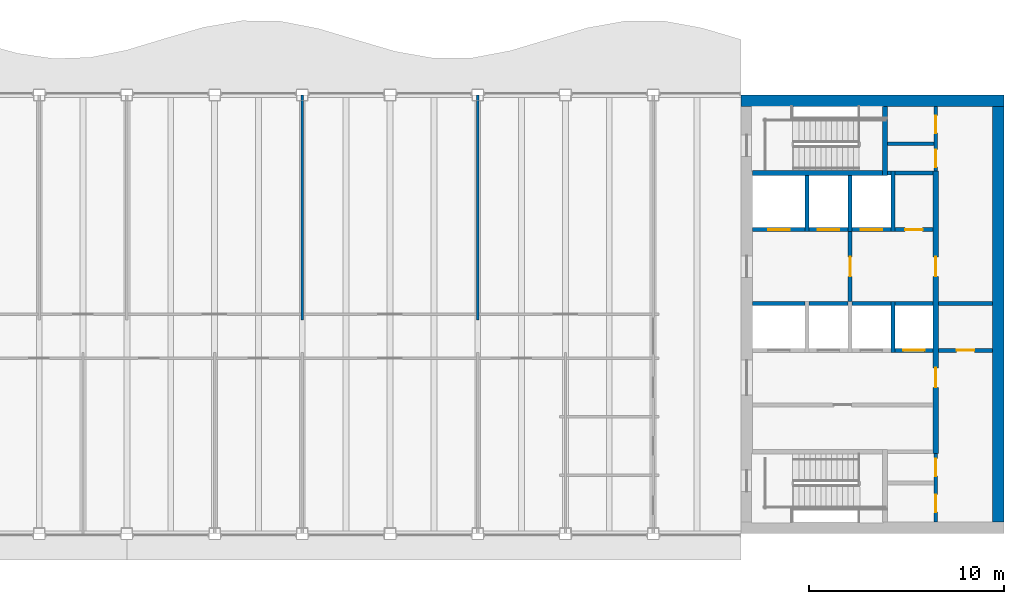
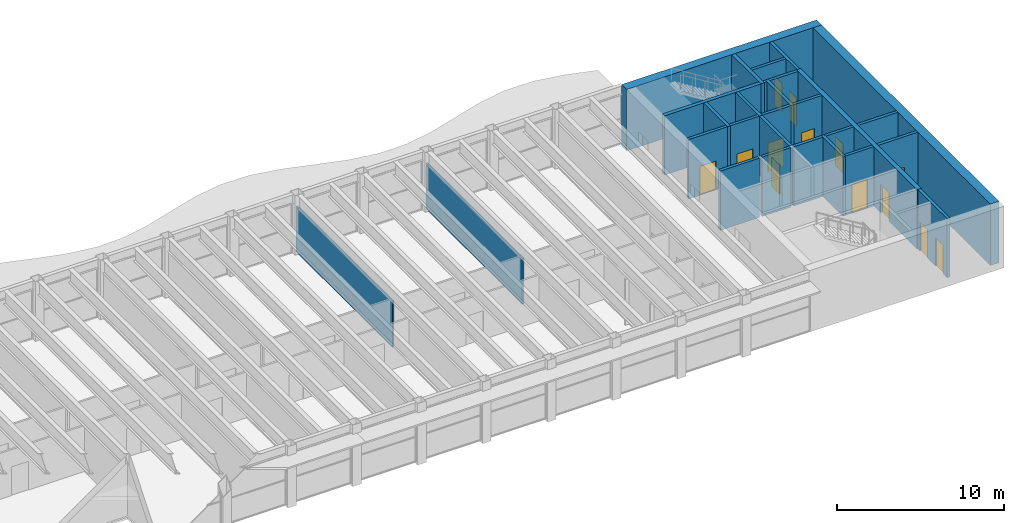
# One storey, part 10 of 14: 28 walls, 13 doors, 13 openings.
"""IFC4 building model written with IfcOpenShell, lengths in metres."""

from ifc_helpers import new_model, si_unit, direction, frame, frame_2d, origin, place, context, subcontext, project, spatial, rectangle, extrude, material, layer, layer_set, type_object, element, fill, save


model = new_model("IFC4")

# Units and contexts
model_context = context("Model", 3, precision=1e-05, world=origin(), true_north=direction((0.0, 1.0)))
body_context = subcontext(model_context, "Body", "Model", "MODEL_VIEW")
ifc_project = project(units=[si_unit("LENGTHUNIT", "METRE"), si_unit("AREAUNIT", "SQUARE_METRE"), si_unit("VOLUMEUNIT", "CUBIC_METRE"), si_unit("PLANEANGLEUNIT", "RADIAN"), si_unit("MASSUNIT", "GRAM", prefix="KILO")], contexts=[model_context])

# Site, building, storey
site_placement = place(None, origin())
site = spatial("IfcSite", under=ifc_project, at=site_placement, CompositionType="ELEMENT")
building_placement = place(site_placement, origin())
building = spatial("IfcBuilding", under=site, at=building_placement, Name="Sennacour Bend Tower", CompositionType="ELEMENT")
storey_placement = place(building_placement, frame((0.0, 0.0, 327.5)))
storey = spatial("IfcBuildingStorey", under=building, at=storey_placement, Name="L75", CompositionType="ELEMENT", Elevation=327.5)

# Walls
ifc_material_1 = material(Name="Concrete C50/60", Category="concrete")
ifc_layer_1 = layer(ifc_material_1, 0.60009765625, Name="Concrete C50/60", Category="concrete")
ifc_layer_set_1 = layer_set([ifc_layer_1], Name="Concrete C50/60")
wall_type_1 = type_object("IfcWallType", Name="Core wall 600 C50/60", PredefinedType="SHEAR", material=ifc_layer_set_1)
wall_1_placement = place(storey_placement, frame((54.0, 22.199951171875, -0.14990234375), z_axis=(0.0, 0.0, 1.0), x_axis=(1.0, 0.0, 0.0)))
element("IfcWall", 1, at=wall_1_placement, inside=storey, type_object=wall_type_1, Name="Core A wall L75 N", PredefinedType="SHEAR", context=body_context, shape_type="SweptSolid", body=[
    extrude(rectangle(XDim=13.5, YDim=0.60009765625, at=frame_2d((6.75, 0.0))), origin(), (0.0, 0.0, 1.0), 4.5),
])
wall_2_placement = place(storey_placement, frame((67.199951171875, 0.60009765625, -0.14990234375), z_axis=(0.0, 0.0, 1.0), x_axis=(0.0, 1.0, 0.0)))
element("IfcWall", 2, at=wall_2_placement, inside=storey, type_object=wall_type_1, Name="Core A wall L75 E", PredefinedType="SHEAR", context=body_context, shape_type="SweptSolid", body=[
    extrude(rectangle(XDim=21.2998046875, YDim=0.60009765625, at=frame_2d((10.64990234375, 0.0))), origin(), (0.0, 0.0, 1.0), 4.5),
])
ifc_material_2 = material(Name="Plasterboard partition on steel studs", Category="steel")
ifc_layer_2 = layer(ifc_material_2, 0.1201171875, Name="Plasterboard partition on steel studs", Category="steel")
ifc_layer_set_2 = layer_set([ifc_layer_2], Name="Plasterboard partition on steel studs")
wall_type_2 = type_object("IfcWallType", Name="Partition 120", PredefinedType="PARTITIONING", material=ifc_layer_set_2)
for number, where, z_axis, x_axis, name in (
    (3, (31.5, 10.949951171875, 0.0), (0.0, 0.0, 1.0), (0.0, 1.0, 0.0), "P-L75-W013a"),
    (4, (40.5, 10.949951171875, 0.0), (0.0, 0.0, 1.0), (0.0, 1.0, 0.0), "P-L75-W015a"),
):
    element("IfcWall", number, at=place(storey_placement, frame(where, z_axis=z_axis, x_axis=x_axis)), inside=storey, type_object=wall_type_2, Name=name, PredefinedType="PARTITIONING", context=body_context, shape_type="SweptSolid", body=[
        extrude(rectangle(XDim=11.5400390625, YDim=0.1201171875, at=frame_2d((5.77001953125, 0.0))), origin(), (0.0, 0.0, 1.0), 3.35888671875),
    ])

# Wall, openings, doors
ifc_material_3 = material(Name="Fire-rated plasterboard partition on steel studs", Category="steel")
ifc_layer_3 = layer(ifc_material_3, 0.199951171875, Name="Fire-rated plasterboard partition on steel studs", Category="steel")
ifc_layer_set_3 = layer_set([ifc_layer_3], Name="Fire-rated plasterboard partition on steel studs")
wall_type_3 = type_object("IfcWallType", Name="Rated partition 200", PredefinedType="PARTITIONING", material=ifc_layer_set_3)
wall_3_placement = place(storey_placement, frame((64.0, 0.60009765625, 0.0), z_axis=(0.0, 0.0, 1.0), x_axis=(0.0, 1.0, 0.0)))
wall_3 = element("IfcWall", 5, at=wall_3_placement, inside=storey, type_object=wall_type_3, Name="P-L75-W027", PredefinedType="PARTITIONING", context=body_context, shape_type="SweptSolid", body=[
    extrude(rectangle(XDim=3.5, YDim=0.199951171875, at=frame_2d((1.75, 0.0))), origin(), (0.0, 0.0, 1.0), 4.35009765625),
])
opening_1_placement = place(wall_3_placement, frame((0.5, 0.0, 0.0)))
opening_1 = element("IfcOpeningElement", 6, at=opening_1_placement, cuts=wall_3, Name="Opening SV", PredefinedType="OPENING", context=body_context, shape_type="SweptSolid", body=[
    extrude(rectangle(XDim=0.89990234375, YDim=2.10009765625, at=frame_2d((0.449951171875, 1.050048828125))), frame((0.0, 0.10986328125, 0.0), z_axis=(0.0, -1.0, 0.0), x_axis=(1.0, 0.0, 0.0)), (0.0, 0.0, 1.0), 0.219970703125),
])
opening_2_placement = place(wall_3_placement, frame((2.349853515625, 0.0, 0.0)))
opening_2 = element("IfcOpeningElement", 7, at=opening_2_placement, cuts=wall_3, Name="Opening WD", PredefinedType="OPENING", context=body_context, shape_type="SweptSolid", body=[
    extrude(rectangle(XDim=0.89990234375, YDim=2.10009765625, at=frame_2d((0.449951171875, 1.050048828125))), frame((0.0, 0.10986328125, 0.0), z_axis=(0.0, -1.0, 0.0), x_axis=(1.0, 0.0, 0.0)), (0.0, 0.0, 1.0), 0.219970703125),
])
ifc_material_4 = material(Name="Painted steel", Category="steel")
door_type_1 = type_object("IfcDoorType", Name="DR-SERVICE-900", OperationType="NOTDEFINED", PredefinedType="DOOR", material=ifc_material_4)
door_1_placement = place(opening_1_placement, origin())
door_1 = element("IfcDoor", 8, at=door_1_placement, inside=storey, type_object=door_type_1, Name="Door", OperationType="SINGLE_SWING_LEFT", OverallHeight=2.10009765625, OverallWidth=0.89990234375, PredefinedType="DOOR", context=body_context, shape_type="SweptSolid", body=[
    extrude(rectangle(XDim=0.89990234375, YDim=2.10009765625, at=frame_2d((0.449951171875, 1.050048828125))), frame((0.0, 0.02490234375, 0.0), z_axis=(0.0, -1.0, 0.0), x_axis=(1.0, 0.0, 0.0)), (0.0, 0.0, 1.0), 0.050048828125),
])
fill(opening_1, door_1)
ifc_material_5 = material(Name="Timber", Category="wood")
door_type_2 = type_object("IfcDoorType", Name="DR-WC-900", OperationType="NOTDEFINED", PredefinedType="DOOR", material=ifc_material_5)
door_2_placement = place(opening_2_placement, origin())
door_2 = element("IfcDoor", 9, at=door_2_placement, inside=storey, type_object=door_type_2, Name="Door", OperationType="SINGLE_SWING_RIGHT", OverallHeight=2.10009765625, OverallWidth=0.89990234375, PredefinedType="DOOR", context=body_context, shape_type="SweptSolid", body=[
    extrude(rectangle(XDim=0.89990234375, YDim=2.10009765625, at=frame_2d((0.449951171875, 1.050048828125))), frame((0.0, 0.02490234375, 0.0), z_axis=(0.0, -1.0, 0.0), x_axis=(1.0, 0.0, 0.0)), (0.0, 0.0, 1.0), 0.050048828125),
])
fill(opening_2, door_2)

wall_4_placement = place(storey_placement, frame((64.0, 18.60009765625, 0.0), z_axis=(0.0, 0.0, 1.0), x_axis=(0.0, 1.0, 0.0)))
wall_4 = element("IfcWall", 10, at=wall_4_placement, inside=storey, type_object=wall_type_3, Name="P-L75-W029", PredefinedType="PARTITIONING", context=body_context, shape_type="SweptSolid", body=[
    extrude(rectangle(XDim=3.2998046875, YDim=0.199951171875, at=frame_2d((1.64990234375, 0.0))), origin(), (0.0, 0.0, 1.0), 4.35009765625),
])
opening_3_placement = place(wall_4_placement, frame((0.199951171875, 0.0, 0.0)))
opening_3 = element("IfcOpeningElement", 11, at=opening_3_placement, cuts=wall_4, Name="Opening SV", PredefinedType="OPENING", context=body_context, shape_type="SweptSolid", body=[
    extrude(rectangle(XDim=0.89990234375, YDim=2.10009765625, at=frame_2d((0.449951171875, 1.050048828125))), frame((0.0, 0.10986328125, 0.0), z_axis=(0.0, -1.0, 0.0), x_axis=(1.0, 0.0, 0.0)), (0.0, 0.0, 1.0), 0.219970703125),
])
opening_4_placement = place(wall_4_placement, frame((1.949951171875, 0.0, 0.0)))
opening_4 = element("IfcOpeningElement", 12, at=opening_4_placement, cuts=wall_4, Name="Opening SV", PredefinedType="OPENING", context=body_context, shape_type="SweptSolid", body=[
    extrude(rectangle(XDim=0.89990234375, YDim=2.10009765625, at=frame_2d((0.449951171875, 1.050048828125))), frame((0.0, 0.10986328125, 0.0), z_axis=(0.0, -1.0, 0.0), x_axis=(1.0, 0.0, 0.0)), (0.0, 0.0, 1.0), 0.219970703125),
])
door_3_placement = place(opening_3_placement, origin())
door_3 = element("IfcDoor", 13, at=door_3_placement, inside=storey, type_object=door_type_1, Name="Door", OperationType="SINGLE_SWING_LEFT", OverallHeight=2.10009765625, OverallWidth=0.89990234375, PredefinedType="DOOR", context=body_context, shape_type="SweptSolid", body=[
    extrude(rectangle(XDim=0.89990234375, YDim=2.10009765625, at=frame_2d((0.449951171875, 1.050048828125))), frame((0.0, 0.02490234375, 0.0), z_axis=(0.0, -1.0, 0.0), x_axis=(1.0, 0.0, 0.0)), (0.0, 0.0, 1.0), 0.050048828125),
])
fill(opening_3, door_3)
door_4_placement = place(opening_4_placement, origin())
door_4 = element("IfcDoor", 14, at=door_4_placement, inside=storey, type_object=door_type_1, Name="Door", OperationType="SINGLE_SWING_RIGHT", OverallHeight=2.10009765625, OverallWidth=0.89990234375, PredefinedType="DOOR", context=body_context, shape_type="SweptSolid", body=[
    extrude(rectangle(XDim=0.89990234375, YDim=2.10009765625, at=frame_2d((0.449951171875, 1.050048828125))), frame((0.0, 0.02490234375, 0.0), z_axis=(0.0, -1.0, 0.0), x_axis=(1.0, 0.0, 0.0)), (0.0, 0.0, 1.0), 0.050048828125),
])
fill(opening_4, door_4)

# Wall, opening, door
wall_5_placement = place(storey_placement, frame((64.14990234375, 9.39990234375, 0.0), z_axis=(0.0, 0.0, 1.0), x_axis=(1.0, 0.0, 0.0)))
wall_5 = element("IfcWall", 15, at=wall_5_placement, inside=storey, type_object=wall_type_3, Name="P-L75-W042", PredefinedType="PARTITIONING", context=body_context, shape_type="SweptSolid", body=[
    extrude(rectangle(XDim=2.75, YDim=0.199951171875, at=frame_2d((1.375, 0.0))), origin(), (0.0, 0.0, 1.0), 4.35009765625),
])
opening_5_placement = place(wall_5_placement, frame((0.925048828125, 0.0, 0.0)))
opening_5 = element("IfcOpeningElement", 16, at=opening_5_placement, cuts=wall_5, Name="Opening SV", PredefinedType="OPENING", context=body_context, shape_type="SweptSolid", body=[
    extrude(rectangle(XDim=0.89990234375, YDim=2.10009765625, at=frame_2d((0.449951171875, 1.050048828125))), frame((0.0, 0.10986328125, 0.0), z_axis=(0.0, -1.0, 0.0), x_axis=(1.0, 0.0, 0.0)), (0.0, 0.0, 1.0), 0.219970703125),
])
door_5_placement = place(opening_5_placement, origin())
door_5 = element("IfcDoor", 17, at=door_5_placement, inside=storey, type_object=door_type_1, Name="Door", OperationType="SINGLE_SWING_LEFT", OverallHeight=2.10009765625, OverallWidth=0.89990234375, PredefinedType="DOOR", context=body_context, shape_type="SweptSolid", body=[
    extrude(rectangle(XDim=0.89990234375, YDim=2.10009765625, at=frame_2d((0.449951171875, 1.050048828125))), frame((0.0, 0.02490234375, 0.0), z_axis=(0.0, -1.0, 0.0), x_axis=(1.0, 0.0, 0.0)), (0.0, 0.0, 1.0), 0.050048828125),
])
fill(opening_5, door_5)

# Wall
wall_6_placement = place(storey_placement, frame((64.14990234375, 11.800048828125, 0.0), z_axis=(0.0, 0.0, 1.0), x_axis=(1.0, 0.0, 0.0)))
element("IfcWall", 18, at=wall_6_placement, inside=storey, type_object=wall_type_3, Name="P-L75-W045", PredefinedType="PARTITIONING", context=body_context, shape_type="SweptSolid", body=[
    extrude(rectangle(XDim=2.75, YDim=0.199951171875, at=frame_2d((1.375, 0.0))), origin(), (0.0, 0.0, 1.0), 4.35009765625),
])

# Wall, opening, door
wall_7_placement = place(storey_placement, frame((61.89990234375, 15.60009765625, 0.0), z_axis=(0.0, 0.0, 1.0), x_axis=(1.0, 0.0, 0.0)))
wall_7 = element("IfcWall", 19, at=wall_7_placement, inside=storey, type_object=wall_type_3, Name="P-L75-W047", PredefinedType="PARTITIONING", context=body_context, shape_type="SweptSolid", body=[
    extrude(rectangle(XDim=1.9501953125, YDim=0.199951171875, at=frame_2d((0.97509765625, 0.0))), origin(), (0.0, 0.0, 1.0), 4.35009765625),
])
opening_6_placement = place(wall_7_placement, frame((0.525146484375, 0.0, 0.0)))
opening_6 = element("IfcOpeningElement", 20, at=opening_6_placement, cuts=wall_7, Name="Opening SV", PredefinedType="OPENING", context=body_context, shape_type="SweptSolid", body=[
    extrude(rectangle(XDim=0.89990234375, YDim=2.10009765625, at=frame_2d((0.449951171875, 1.050048828125))), frame((0.0, 0.10986328125, 0.0), z_axis=(0.0, -1.0, 0.0), x_axis=(1.0, 0.0, 0.0)), (0.0, 0.0, 1.0), 0.219970703125),
])
door_6_placement = place(opening_6_placement, origin())
door_6 = element("IfcDoor", 21, at=door_6_placement, inside=storey, type_object=door_type_1, Name="Door", OperationType="SINGLE_SWING_LEFT", OverallHeight=2.10009765625, OverallWidth=0.89990234375, PredefinedType="DOOR", context=body_context, shape_type="SweptSolid", body=[
    extrude(rectangle(XDim=0.89990234375, YDim=2.10009765625, at=frame_2d((0.449951171875, 1.050048828125))), frame((0.0, 0.02490234375, 0.0), z_axis=(0.0, -1.0, 0.0), x_axis=(1.0, 0.0, 0.0)), (0.0, 0.0, 1.0), 0.050048828125),
])
fill(opening_6, door_6)

# Walls
wall_8_placement = place(storey_placement, frame((61.89990234375, 18.5, 0.0), z_axis=(0.0, 0.0, 1.0), x_axis=(1.0, 0.0, 0.0)))
element("IfcWall", 22, at=wall_8_placement, inside=storey, type_object=wall_type_3, Name="P-L75-W050", PredefinedType="PARTITIONING", context=body_context, shape_type="SweptSolid", body=[
    extrude(rectangle(XDim=1.9501953125, YDim=0.199951171875, at=frame_2d((0.97509765625, 0.0))), origin(), (0.0, 0.0, 1.0), 4.35009765625),
])
wall_9_placement = place(storey_placement, frame((61.52490234375, 20.0, 0.0), z_axis=(0.0, 0.0, 1.0), x_axis=(1.0, 0.0, 0.0)))
element("IfcWall", 23, at=wall_9_placement, inside=storey, type_object=wall_type_3, Name="P-L75-W051", PredefinedType="PARTITIONING", context=body_context, shape_type="SweptSolid", body=[
    extrude(rectangle(XDim=2.375, YDim=0.199951171875, at=frame_2d((1.1875, 0.0))), origin(), (0.0, 0.0, 1.0), 4.35009765625),
])

# Wall, opening, door
ifc_layer_4 = layer(ifc_material_3, 0.199951171875, Name="Fire-rated plasterboard partition on steel studs", Category="steel")
ifc_layer_set_4 = layer_set([ifc_layer_4], Name="Fire-rated plasterboard partition on steel studs")
wall_type_4 = type_object("IfcWallType", Name="Rated partition 200 EI 90", PredefinedType="PARTITIONING", material=ifc_layer_set_4)
wall_10_placement = place(storey_placement, frame((59.60009765625, 11.89990234375, 0.0), z_axis=(0.0, 0.0, 1.0), x_axis=(0.0, 1.0, 0.0)))
wall_10 = element("IfcWall", 24, at=wall_10_placement, inside=storey, type_object=wall_type_4, Name="P-L75-W021", PredefinedType="PARTITIONING", context=body_context, shape_type="SweptSolid", body=[
    extrude(rectangle(XDim=3.60009765625, YDim=0.199951171875, at=frame_2d((1.800048828125, 0.0))), origin(), (0.0, 0.0, 1.0), 4.35009765625),
])
opening_7_placement = place(wall_10_placement, frame((1.300048828125, 0.0, 0.0)))
opening_7 = element("IfcOpeningElement", 25, at=opening_7_placement, cuts=wall_10, Name="Opening FD2", PredefinedType="OPENING", context=body_context, shape_type="SweptSolid", body=[
    extrude(rectangle(XDim=1.0, YDim=2.10009765625, at=frame_2d((0.5, 1.050048828125))), frame((0.0, 0.10986328125, 0.0), z_axis=(0.0, -1.0, 0.0), x_axis=(1.0, 0.0, 0.0)), (0.0, 0.0, 1.0), 0.219970703125),
])
door_type_3 = type_object("IfcDoorType", Name="DR-FFL-1000", OperationType="NOTDEFINED", PredefinedType="DOOR", material=ifc_material_4)
door_7_placement = place(opening_7_placement, origin())
door_7 = element("IfcDoor", 26, at=door_7_placement, inside=storey, type_object=door_type_3, Name="Door", OperationType="SINGLE_SWING_LEFT", OverallHeight=2.10009765625, OverallWidth=1.0, PredefinedType="DOOR", context=body_context, shape_type="SweptSolid", body=[
    extrude(rectangle(XDim=1.0, YDim=2.10009765625, at=frame_2d((0.5, 1.050048828125))), frame((0.0, 0.02490234375, 0.0), z_axis=(0.0, -1.0, 0.0), x_axis=(1.0, 0.0, 0.0)), (0.0, 0.0, 1.0), 0.050048828125),
])
fill(opening_7, door_7)

# Walls
ifc_layer_5 = layer(ifc_material_1, 0.199951171875, Name="Concrete C50/60", Category="concrete")
ifc_layer_set_5 = layer_set([ifc_layer_5], Name="Concrete C50/60")
wall_type_5 = type_object("IfcWallType", Name="Shaft wall 200", PredefinedType="SOLIDWALL", material=ifc_layer_set_5)
for number, where, z_axis, x_axis, name in (
    (27, (57.39990234375, 15.5, 0.0), (0.0, 0.0, 1.0), (0.0, 1.0, 0.0), "P-L75-W019"),
    (28, (59.60009765625, 15.5, 0.0), (0.0, 0.0, 1.0), (0.0, 1.0, 0.0), "P-L75-W022"),
):
    element("IfcWall", number, at=place(storey_placement, frame(where, z_axis=z_axis, x_axis=x_axis)), inside=storey, type_object=wall_type_5, Name=name, PredefinedType="SOLIDWALL", context=body_context, shape_type="SweptSolid", body=[
        extrude(rectangle(XDim=2.875, YDim=0.199951171875, at=frame_2d((1.4375, 0.0))), origin(), (0.0, 0.0, 1.0), 4.35009765625),
    ])
wall_11_placement = place(storey_placement, frame((61.800048828125, 9.300048828125, 0.0), z_axis=(0.0, 0.0, 1.0), x_axis=(0.0, 1.0, 0.0)))
element("IfcWall", 29, at=wall_11_placement, inside=storey, type_object=wall_type_5, Name="P-L75-W025", PredefinedType="SOLIDWALL", context=body_context, shape_type="SweptSolid", body=[
    extrude(rectangle(XDim=2.599853515625, YDim=0.199951171875, at=frame_2d((1.2998046875, 0.0))), origin(), (0.0, 0.0, 1.0), 4.35009765625),
])
wall_12_placement = place(storey_placement, frame((61.800048828125, 15.5, 0.0), z_axis=(0.0, 0.0, 1.0), x_axis=(0.0, 1.0, 0.0)))
element("IfcWall", 30, at=wall_12_placement, inside=storey, type_object=wall_type_5, Name="P-L75-W026", PredefinedType="SOLIDWALL", context=body_context, shape_type="SweptSolid", body=[
    extrude(rectangle(XDim=3.10009765625, YDim=0.199951171875, at=frame_2d((1.550048828125, 0.0))), origin(), (0.0, 0.0, 1.0), 4.35009765625),
])

# Wall, opening, door
wall_13_placement = place(storey_placement, frame((61.89990234375, 9.39990234375, 0.0), z_axis=(0.0, 0.0, 1.0), x_axis=(1.0, 0.0, 0.0)))
wall_13 = element("IfcWall", 31, at=wall_13_placement, inside=storey, type_object=wall_type_5, Name="P-L75-W041d", PredefinedType="SOLIDWALL", context=body_context, shape_type="SweptSolid", body=[
    extrude(rectangle(XDim=1.9501953125, YDim=0.199951171875, at=frame_2d((0.97509765625, 0.0))), origin(), (0.0, 0.0, 1.0), 4.35009765625),
])
opening_8_placement = place(wall_13_placement, frame((0.425048828125, 0.0, 0.011962890625)))
opening_8 = element("IfcOpeningElement", 32, at=opening_8_placement, cuts=wall_13, Name="Opening LD", PredefinedType="OPENING", context=body_context, shape_type="SweptSolid", body=[
    extrude(rectangle(XDim=1.10009765625, YDim=2.10009765625, at=frame_2d((0.550048828125, 1.050048828125))), frame((0.0, 0.10986328125, 0.0), z_axis=(0.0, -1.0, 0.0), x_axis=(1.0, 0.0, 0.0)), (0.0, 0.0, 1.0), 0.219970703125),
])
ifc_material_6 = material(Name="Stainless steel", Category="steel")
door_type_4 = type_object("IfcDoorType", Name="DR-LANDING-1100", OperationType="NOTDEFINED", PredefinedType="DOOR", material=ifc_material_6)
door_8_placement = place(opening_8_placement, origin())
door_8 = element("IfcDoor", 33, at=door_8_placement, inside=storey, type_object=door_type_4, Name="Lift landing door HA4", OperationType="SLIDING_TO_RIGHT", OverallHeight=2.10009765625, OverallWidth=1.10009765625, PredefinedType="DOOR", context=body_context, shape_type="SweptSolid", body=[
    extrude(rectangle(XDim=1.10009765625, YDim=2.10009765625, at=frame_2d((0.550048828125, 1.050048828125))), frame((0.0, 0.02490234375, 0.0), z_axis=(0.0, -1.0, 0.0), x_axis=(1.0, 0.0, 0.0)), (0.0, 0.0, 1.0), 0.050048828125),
])
fill(opening_8, door_8)

# Walls
wall_14_placement = place(storey_placement, frame((54.60009765625, 11.800048828125, 0.0), z_axis=(0.0, 0.0, 1.0), x_axis=(1.0, 0.0, 0.0)))
element("IfcWall", 34, at=wall_14_placement, inside=storey, type_object=wall_type_5, Name="P-L75-W044a", PredefinedType="SOLIDWALL", context=body_context, shape_type="SweptSolid", body=[
    extrude(rectangle(XDim=2.699951171875, YDim=0.199951171875, at=frame_2d((1.35009765625, 0.0))), origin(), (0.0, 0.0, 1.0), 4.35009765625),
])
for number, where, z_axis, x_axis, name in (
    (35, (57.5, 11.800048828125, 0.0), (0.0, 0.0, 1.0), (1.0, 0.0, 0.0), "P-L75-W044b"),
    (36, (59.699951171875, 11.800048828125, 0.0), (0.0, 0.0, 1.0), (1.0, 0.0, 0.0), "P-L75-W044c"),
):
    element("IfcWall", number, at=place(storey_placement, frame(where, z_axis=z_axis, x_axis=x_axis)), inside=storey, type_object=wall_type_5, Name=name, PredefinedType="SOLIDWALL", context=body_context, shape_type="SweptSolid", body=[
        extrude(rectangle(XDim=2.0, YDim=0.199951171875, at=frame_2d((1.0, 0.0))), origin(), (0.0, 0.0, 1.0), 4.35009765625),
    ])
wall_15_placement = place(storey_placement, frame((61.89990234375, 11.800048828125, 0.0), z_axis=(0.0, 0.0, 1.0), x_axis=(1.0, 0.0, 0.0)))
element("IfcWall", 37, at=wall_15_placement, inside=storey, type_object=wall_type_5, Name="P-L75-W044d", PredefinedType="SOLIDWALL", context=body_context, shape_type="SweptSolid", body=[
    extrude(rectangle(XDim=1.9501953125, YDim=0.199951171875, at=frame_2d((0.97509765625, 0.0))), origin(), (0.0, 0.0, 1.0), 4.35009765625),
])

# Wall, opening, door
wall_16_placement = place(storey_placement, frame((54.60009765625, 15.60009765625, 0.0), z_axis=(0.0, 0.0, 1.0), x_axis=(1.0, 0.0, 0.0)))
wall_16 = element("IfcWall", 38, at=wall_16_placement, inside=storey, type_object=wall_type_5, Name="P-L75-W046a", PredefinedType="SOLIDWALL", context=body_context, shape_type="SweptSolid", body=[
    extrude(rectangle(XDim=2.699951171875, YDim=0.199951171875, at=frame_2d((1.35009765625, 0.0))), origin(), (0.0, 0.0, 1.0), 4.35009765625),
])
opening_9_placement = place(wall_16_placement, frame((0.7998046875, 0.0, 0.011962890625)))
opening_9 = element("IfcOpeningElement", 39, at=opening_9_placement, cuts=wall_16, Name="Opening FLD", PredefinedType="OPENING", context=body_context, shape_type="SweptSolid", body=[
    extrude(rectangle(XDim=1.10009765625, YDim=2.10009765625, at=frame_2d((0.550048828125, 1.050048828125))), frame((0.0, 0.10986328125, 0.0), z_axis=(0.0, -1.0, 0.0), x_axis=(1.0, 0.0, 0.0)), (0.0, 0.0, 1.0), 0.219970703125),
])
door_type_5 = type_object("IfcDoorType", Name="DR-FF-LANDING-1100", OperationType="NOTDEFINED", PredefinedType="DOOR", material=ifc_material_6)
door_9_placement = place(opening_9_placement, origin())
door_9 = element("IfcDoor", 40, at=door_9_placement, inside=storey, type_object=door_type_5, Name="Fire service lift landing door FA1", OperationType="SLIDING_TO_LEFT", OverallHeight=2.10009765625, OverallWidth=1.10009765625, PredefinedType="DOOR", context=body_context, shape_type="SweptSolid", body=[
    extrude(rectangle(XDim=1.10009765625, YDim=2.10009765625, at=frame_2d((0.550048828125, 1.050048828125))), frame((0.0, 0.02490234375, 0.0), z_axis=(0.0, -1.0, 0.0), x_axis=(1.0, 0.0, 0.0)), (0.0, 0.0, 1.0), 0.050048828125),
])
fill(opening_9, door_9)

wall_17_placement = place(storey_placement, frame((57.5, 15.60009765625, 0.0), z_axis=(0.0, 0.0, 1.0), x_axis=(1.0, 0.0, 0.0)))
wall_17 = element("IfcWall", 41, at=wall_17_placement, inside=storey, type_object=wall_type_5, Name="P-L75-W046b", PredefinedType="SOLIDWALL", context=body_context, shape_type="SweptSolid", body=[
    extrude(rectangle(XDim=2.0, YDim=0.199951171875, at=frame_2d((1.0, 0.0))), origin(), (0.0, 0.0, 1.0), 4.35009765625),
])
opening_10_placement = place(wall_17_placement, frame((0.449951171875, 0.0, 0.011962890625)))
opening_10 = element("IfcOpeningElement", 42, at=opening_10_placement, cuts=wall_17, Name="Opening FLD", PredefinedType="OPENING", context=body_context, shape_type="SweptSolid", body=[
    extrude(rectangle(XDim=1.10009765625, YDim=2.10009765625, at=frame_2d((0.550048828125, 1.050048828125))), frame((0.0, 0.10986328125, 0.0), z_axis=(0.0, -1.0, 0.0), x_axis=(1.0, 0.0, 0.0)), (0.0, 0.0, 1.0), 0.219970703125),
])
door_10_placement = place(opening_10_placement, origin())
door_10 = element("IfcDoor", 43, at=door_10_placement, inside=storey, type_object=door_type_5, Name="Fire service lift landing door FA2", OperationType="SLIDING_TO_RIGHT", OverallHeight=2.10009765625, OverallWidth=1.10009765625, PredefinedType="DOOR", context=body_context, shape_type="SweptSolid", body=[
    extrude(rectangle(XDim=1.10009765625, YDim=2.10009765625, at=frame_2d((0.550048828125, 1.050048828125))), frame((0.0, 0.02490234375, 0.0), z_axis=(0.0, -1.0, 0.0), x_axis=(1.0, 0.0, 0.0)), (0.0, 0.0, 1.0), 0.050048828125),
])
fill(opening_10, door_10)

wall_18_placement = place(storey_placement, frame((59.699951171875, 15.60009765625, 0.0), z_axis=(0.0, 0.0, 1.0), x_axis=(1.0, 0.0, 0.0)))
wall_18 = element("IfcWall", 44, at=wall_18_placement, inside=storey, type_object=wall_type_5, Name="P-L75-W046c", PredefinedType="SOLIDWALL", context=body_context, shape_type="SweptSolid", body=[
    extrude(rectangle(XDim=2.0, YDim=0.199951171875, at=frame_2d((1.0, 0.0))), origin(), (0.0, 0.0, 1.0), 4.35009765625),
])
opening_11_placement = place(wall_18_placement, frame((0.449951171875, 0.0, 0.011962890625)))
opening_11 = element("IfcOpeningElement", 45, at=opening_11_placement, cuts=wall_18, Name="Opening LD", PredefinedType="OPENING", context=body_context, shape_type="SweptSolid", body=[
    extrude(rectangle(XDim=1.10009765625, YDim=2.10009765625, at=frame_2d((0.550048828125, 1.050048828125))), frame((0.0, 0.10986328125, 0.0), z_axis=(0.0, -1.0, 0.0), x_axis=(1.0, 0.0, 0.0)), (0.0, 0.0, 1.0), 0.219970703125),
])
door_11_placement = place(opening_11_placement, origin())
door_11 = element("IfcDoor", 46, at=door_11_placement, inside=storey, type_object=door_type_4, Name="Lift landing door HA5", OperationType="SLIDING_TO_LEFT", OverallHeight=2.10009765625, OverallWidth=1.10009765625, PredefinedType="DOOR", context=body_context, shape_type="SweptSolid", body=[
    extrude(rectangle(XDim=1.10009765625, YDim=2.10009765625, at=frame_2d((0.550048828125, 1.050048828125))), frame((0.0, 0.02490234375, 0.0), z_axis=(0.0, -1.0, 0.0), x_axis=(1.0, 0.0, 0.0)), (0.0, 0.0, 1.0), 0.050048828125),
])
fill(opening_11, door_11)

# Wall
wall_19_placement = place(storey_placement, frame((61.52490234375, 18.5, 0.0), z_axis=(0.0, 0.0, 1.0), x_axis=(1.0, 0.0, 0.0)))
element("IfcWall", 47, at=wall_19_placement, inside=storey, type_object=wall_type_5, Name="P-L75-W049", PredefinedType="SOLIDWALL", context=body_context, shape_type="SweptSolid", body=[
    extrude(rectangle(XDim=0.175048828125, YDim=0.199951171875, at=frame_2d((0.08740234375, 0.0))), origin(), (0.0, 0.0, 1.0), 4.35009765625),
])

# Wall, openings, doors
ifc_material_7 = material(Name="Concrete C60/75", Category="concrete")
ifc_layer_6 = layer(ifc_material_7, 0.300048828125, Name="Concrete C60/75", Category="concrete")
ifc_layer_set_6 = layer_set([ifc_layer_6], Name="Concrete C60/75")
wall_type_6 = type_object("IfcWallType", Name="Spine wall 300", PredefinedType="SHEAR", material=ifc_layer_set_6)
wall_20_placement = place(storey_placement, frame((64.0, 4.10009765625, 0.0), z_axis=(0.0, 0.0, 1.0), x_axis=(0.0, 1.0, 0.0)))
wall_20 = element("IfcWall", 48, at=wall_20_placement, inside=storey, type_object=wall_type_6, Name="P-L75-W028", PredefinedType="SHEAR", context=body_context, shape_type="SweptSolid", body=[
    extrude(rectangle(XDim=14.5, YDim=0.300048828125, at=frame_2d((7.25, 0.0))), origin(), (0.0, 0.0, 1.0), 4.35009765625),
])
opening_12_placement = place(wall_20_placement, frame((3.39990234375, 0.0, 0.0)))
opening_12 = element("IfcOpeningElement", 49, at=opening_12_placement, cuts=wall_20, Name="Opening CD2", PredefinedType="OPENING", context=body_context, shape_type="SweptSolid", body=[
    extrude(rectangle(XDim=1.0, YDim=2.10009765625, at=frame_2d((0.5, 1.050048828125))), frame((0.0, 0.16015625, 0.0), z_axis=(0.0, -1.0, 0.0), x_axis=(1.0, 0.0, 0.0)), (0.0, 0.0, 1.0), 0.320068359375),
])
opening_13_placement = place(wall_20_placement, frame((9.099853515625, 0.0, 0.0)))
opening_13 = element("IfcOpeningElement", 50, at=opening_13_placement, cuts=wall_20, Name="Opening CD2", PredefinedType="OPENING", context=body_context, shape_type="SweptSolid", body=[
    extrude(rectangle(XDim=1.0, YDim=2.10009765625, at=frame_2d((0.5, 1.050048828125))), frame((0.0, 0.16015625, 0.0), z_axis=(0.0, -1.0, 0.0), x_axis=(1.0, 0.0, 0.0)), (0.0, 0.0, 1.0), 0.320068359375),
])
door_type_6 = type_object("IfcDoorType", Name="DR-LOBBY-1000", OperationType="NOTDEFINED", PredefinedType="DOOR", material=ifc_material_4)
door_12_placement = place(opening_12_placement, origin())
door_12 = element("IfcDoor", 51, at=door_12_placement, inside=storey, type_object=door_type_6, Name="Door", OperationType="SINGLE_SWING_LEFT", OverallHeight=2.10009765625, OverallWidth=1.0, PredefinedType="DOOR", context=body_context, shape_type="SweptSolid", body=[
    extrude(rectangle(XDim=1.0, YDim=2.10009765625, at=frame_2d((0.5, 1.050048828125))), frame((0.0, 0.02490234375, 0.0), z_axis=(0.0, -1.0, 0.0), x_axis=(1.0, 0.0, 0.0)), (0.0, 0.0, 1.0), 0.050048828125),
])
fill(opening_12, door_12)
door_13_placement = place(opening_13_placement, origin())
door_13 = element("IfcDoor", 52, at=door_13_placement, inside=storey, type_object=door_type_6, Name="Door", OperationType="SINGLE_SWING_RIGHT", OverallHeight=2.10009765625, OverallWidth=1.0, PredefinedType="DOOR", context=body_context, shape_type="SweptSolid", body=[
    extrude(rectangle(XDim=1.0, YDim=2.10009765625, at=frame_2d((0.5, 1.050048828125))), frame((0.0, 0.02490234375, 0.0), z_axis=(0.0, -1.0, 0.0), x_axis=(1.0, 0.0, 0.0)), (0.0, 0.0, 1.0), 0.050048828125),
])
fill(opening_13, door_13)

# Walls
ifc_layer_7 = layer(ifc_material_7, 0.25, Name="Concrete C60/75", Category="concrete")
ifc_layer_set_7 = layer_set([ifc_layer_7], Name="Concrete C60/75")
wall_type_7 = type_object("IfcWallType", Name="Stair wall 250", PredefinedType="SHEAR", material=ifc_layer_set_7)
wall_21_placement = place(storey_placement, frame((61.39990234375, 18.375, 0.0), z_axis=(0.0, 0.0, 1.0), x_axis=(0.0, 1.0, 0.0)))
element("IfcWall", 53, at=wall_21_placement, inside=storey, type_object=wall_type_7, Name="P-L75-W024", PredefinedType="SHEAR", context=body_context, shape_type="SweptSolid", body=[
    extrude(rectangle(XDim=3.52490234375, YDim=0.25, at=frame_2d((1.762451171875, 0.0))), origin(), (0.0, 0.0, 1.0), 4.35009765625),
])
wall_22_placement = place(storey_placement, frame((54.60009765625, 18.5, 0.0), z_axis=(0.0, 0.0, 1.0), x_axis=(1.0, 0.0, 0.0)))
element("IfcWall", 54, at=wall_22_placement, inside=storey, type_object=wall_type_7, Name="P-L75-W048", PredefinedType="SHEAR", context=body_context, shape_type="SweptSolid", body=[
    extrude(rectangle(XDim=6.6748046875, YDim=0.25, at=frame_2d((3.33740234375, 0.0))), origin(), (0.0, 0.0, 1.0), 4.35009765625),
])

save(model, "model.ifc")
